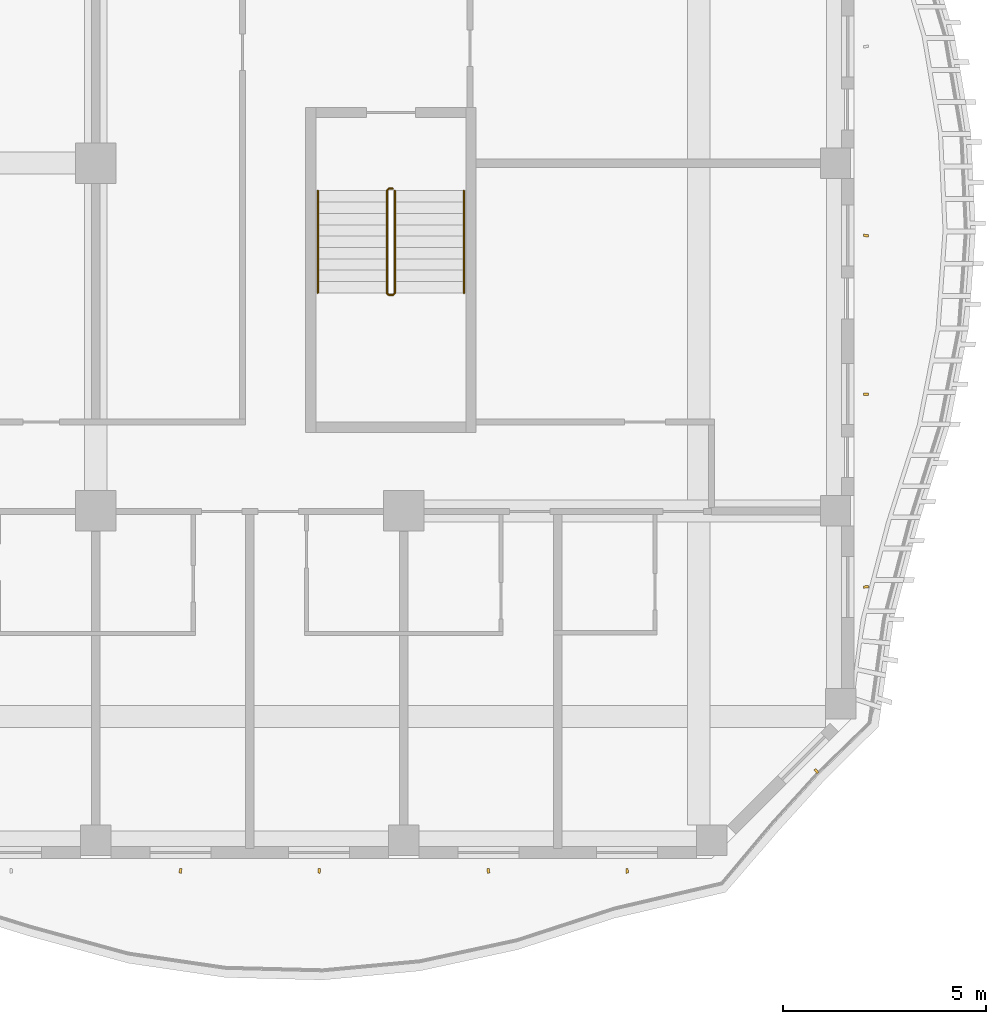
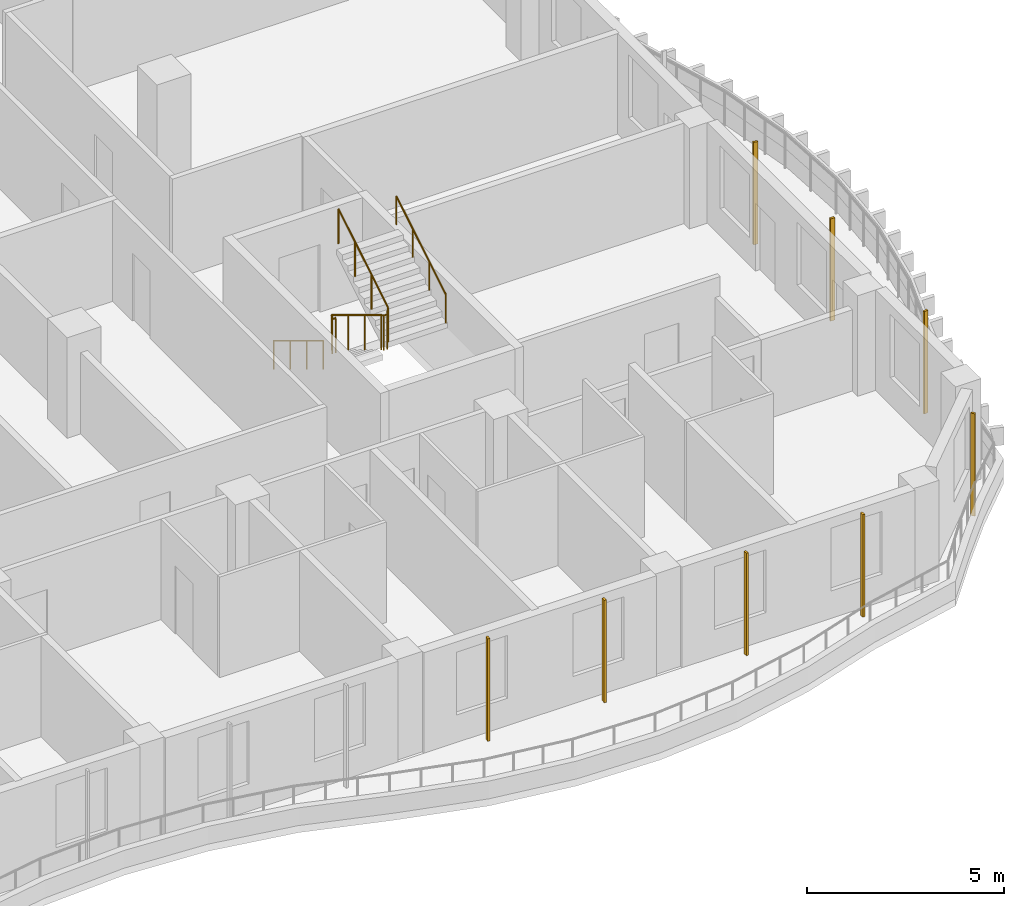
# One storey, part 17 of 22: 8 shading devices, 3 railings.
"""IFC4 building model written with IfcOpenShell, lengths in metres."""

from ifc_helpers import new_model, si_unit, direction, frame, origin, origin_2d, place, context, subcontext, project, spatial, rectangle, circle, extrude, source, transform, mapped, material, material_profile, profile_set, type_object, element, save


model = new_model("IFC4")

# Units and contexts
model_context = context("Model", 3, precision=1e-05, world=origin(), true_north=direction((0.0, 1.0)))
body_context = subcontext(model_context, "Body", "Model", "MODEL_VIEW")
ifc_project = project(units=[si_unit("LENGTHUNIT", "METRE"), si_unit("AREAUNIT", "SQUARE_METRE"), si_unit("VOLUMEUNIT", "CUBIC_METRE"), si_unit("PLANEANGLEUNIT", "RADIAN"), si_unit("MASSUNIT", "GRAM", prefix="KILO")], contexts=[model_context])

# Site, building, storey
site_placement = place(None, origin())
site = spatial("IfcSite", under=ifc_project, at=site_placement, CompositionType="ELEMENT")
building_placement = place(site_placement, origin())
building = spatial("IfcBuilding", under=site, at=building_placement, Name="Kilnfold Tower and Market Hall", CompositionType="ELEMENT")
storey_placement = place(building_placement, frame((0.0, 0.0, 213.5)))
storey = spatial("IfcBuildingStorey", under=building, at=storey_placement, Name="L52", CompositionType="ELEMENT", Elevation=213.5)

# Railings
ifc_material_1 = material(Name="Stainless steel 316", Category="steel")
railing_type_1 = type_object("IfcRailingType", Name="CORE STAIR GUARD 1100", PredefinedType="GUARDRAIL", material=ifc_material_1)
railing_1_placement = place(storey_placement, frame((19.89990234375, -9.75, 0.0)))
element("IfcRailing", 1, at=railing_1_placement, inside=storey, type_object=railing_type_1, Name="L52 ST4 stair guard 1", PredefinedType="GUARDRAIL", context=body_context, shape_type="SweptSolid", body=[
    extrude(circle(Radius=0.02392578125, at=origin_2d()), frame((0.0, 0.0, 1.076171875), z_axis=(-1.0, 0.0, 0.0), x_axis=(0.0, -1.0, 0.0)), (0.0, 0.0, 1.0), 0.099853515625),
    extrude(circle(Radius=0.02392578125, at=origin_2d()), frame((-0.099853515625, 0.0, 1.076171875), z_axis=(-0.271895245746, -0.271895245746, 0.923117517265), x_axis=(0.707106781187, -0.707106781187, 0.0)), (0.0, 0.0, 1.0), 0.18408203125),
    extrude(circle(Radius=0.02392578125, at=origin_2d()), frame((-0.14990234375, -0.050048828125, 1.24609375), z_axis=(0.0, -0.85478489116, 0.518982456201), x_axis=(1.0, 0.0, 0.0)), (0.0, 0.0, 1.0), 2.9482421875),
    extrude(circle(Radius=0.02392578125, at=origin_2d()), frame((-0.14990234375, -2.570068359375, 2.77587890625), z_axis=(0.707106781187, -0.707106781187, 0.0), x_axis=(0.707106781187, 0.707106781187, 0.0)), (0.0, 0.0, 1.0), 0.07080078125),
    extrude(circle(Radius=0.02392578125, at=origin_2d()), frame((-0.099853515625, -2.6201171875, 2.77587890625), z_axis=(1.0, 0.0, 0.0), x_axis=(0.0, 1.0, 0.0)), (0.0, 0.0, 1.0), 0.099853515625),
    extrude(circle(Radius=0.02392578125, at=origin_2d()), frame((0.0, -2.6201171875, 2.77587890625), z_axis=(0.271562723297, 0.271562723297, 0.923313259209), x_axis=(-0.707106781187, 0.707106781187, 0.0)), (0.0, 0.0, 1.0), 0.184326171875),
    extrude(circle(Radius=0.02392578125, at=origin_2d()), frame((0.050048828125, -2.570068359375, 2.9462890625), z_axis=(0.0, 0.854821627497, 0.518921945155), x_axis=(-1.0, 0.0, 0.0)), (0.0, 0.0, 1.0), 2.947998046875),
    extrude(circle(Radius=0.02099609375, at=origin_2d()), origin(), (0.0, 0.0, 1.0), 1.052001953125),
    extrude(circle(Radius=0.02099609375, at=origin_2d()), frame((-0.099853515625, 0.0, 0.0)), (0.0, 0.0, 1.0), 1.052001953125),
    extrude(circle(Radius=0.02099609375, at=origin_2d()), frame((-0.14990234375, -0.050048828125, 0.169921875)), (0.0, 0.0, 1.0), 1.052001953125),
    extrude(circle(Radius=0.02099609375, at=origin_2d()), frame((-0.14990234375, -0.89013671875, 0.679931640625)), (0.0, 0.0, 1.0), 1.052001953125),
    extrude(circle(Radius=0.02099609375, at=origin_2d()), frame((-0.14990234375, -1.72998046875, 1.18994140625)), (0.0, 0.0, 1.0), 1.052001953125),
    extrude(circle(Radius=0.02099609375, at=origin_2d()), frame((-0.14990234375, -2.570068359375, 1.699951171875)), (0.0, 0.0, 1.0), 1.052001953125),
    extrude(circle(Radius=0.02099609375, at=origin_2d()), frame((-0.099853515625, -2.6201171875, 1.699951171875)), (0.0, 0.0, 1.0), 1.052001953125),
    extrude(circle(Radius=0.02099609375, at=origin_2d()), frame((0.0, -2.6201171875, 1.699951171875)), (0.0, 0.0, 1.0), 1.052001953125),
    extrude(circle(Radius=0.02099609375, at=origin_2d()), frame((0.050048828125, -2.570068359375, 1.8701171875)), (0.0, 0.0, 1.0), 1.052001953125),
    extrude(circle(Radius=0.02099609375, at=origin_2d()), frame((0.050048828125, -1.72998046875, 2.380126953125)), (0.0, 0.0, 1.0), 1.052001953125),
    extrude(circle(Radius=0.02099609375, at=origin_2d()), frame((0.050048828125, -0.89013671875, 2.889892578125)), (0.0, 0.0, 1.0), 1.052001953125),
    extrude(circle(Radius=0.02099609375, at=origin_2d()), frame((0.050048828125, -0.050048828125, 3.39990234375)), (0.0, 0.0, 1.0), 1.052001953125),
])
ifc_material_2 = material(Name="Stainless steel 316", Category="steel")
railing_type_2 = type_object("IfcRailingType", Name="CORE STAIR HANDRAIL 900", PredefinedType="HANDRAIL", material=ifc_material_2)
railing_2_placement = place(storey_placement, frame((18.050048828125, -9.800048828125, 0.169921875)))
element("IfcRailing", 2, at=railing_2_placement, inside=storey, type_object=railing_type_2, Name="L52 ST4 stair handrail 1", PredefinedType="HANDRAIL", context=body_context, shape_type="SweptSolid", body=[
    extrude(circle(Radius=0.02392578125, at=origin_2d()), frame((0.0, 0.0, 0.8759765625), z_axis=(0.0, -0.85478489116, 0.518982456201), x_axis=(1.0, 0.0, 0.0)), (0.0, 0.0, 1.0), 2.9482421875),
    extrude(circle(Radius=0.02099609375, at=origin_2d()), origin(), (0.0, 0.0, 1.0), 0.851806640625),
    extrude(circle(Radius=0.02099609375, at=origin_2d()), frame((0.0, -0.840087890625, 0.510009765625)), (0.0, 0.0, 1.0), 0.851806640625),
    extrude(circle(Radius=0.02099609375, at=origin_2d()), frame((0.0, -1.679931640625, 1.02001953125)), (0.0, 0.0, 1.0), 0.851806640625),
    extrude(circle(Radius=0.02099609375, at=origin_2d()), frame((0.0, -2.52001953125, 1.530029296875)), (0.0, 0.0, 1.0), 0.851806640625),
])
railing_3_placement = place(storey_placement, frame((21.64990234375, -12.320068359375, 1.8701171875)))
element("IfcRailing", 3, at=railing_3_placement, inside=storey, type_object=railing_type_2, Name="L52 ST4 stair handrail 2", PredefinedType="HANDRAIL", context=body_context, shape_type="SweptSolid", body=[
    extrude(circle(Radius=0.02392578125, at=origin_2d()), frame((0.0, 0.0, 0.8759765625), z_axis=(0.0, 0.854821627497, 0.518921945155), x_axis=(-1.0, 0.0, 0.0)), (0.0, 0.0, 1.0), 2.947998046875),
    extrude(circle(Radius=0.02099609375, at=origin_2d()), origin(), (0.0, 0.0, 1.0), 0.851806640625),
    extrude(circle(Radius=0.02099609375, at=origin_2d()), frame((0.0, 0.840087890625, 0.510009765625)), (0.0, 0.0, 1.0), 0.851806640625),
    extrude(circle(Radius=0.02099609375, at=origin_2d()), frame((0.0, 1.679931640625, 1.019775390625)), (0.0, 0.0, 1.0), 0.851806640625),
    extrude(circle(Radius=0.02099609375, at=origin_2d()), frame((0.0, 2.52001953125, 1.52978515625)), (0.0, 0.0, 1.0), 0.851806640625),
])

# Shading devices
ifc_material_3 = material(Name="Terracotta", Category="masonry")
ifc_material_profile = material_profile(ifc_material_3, rectangle(XDim=0.06005859375, YDim=0.1201171875, at=origin_2d()), Name="BAG 60x120")
ifc_profile_set = profile_set([ifc_material_profile], Name="Terracotta")
shading_device_type = type_object("IfcShadingDeviceType", Name="BAGUETTE", PredefinedType="USERDEFINED", material=ifc_profile_set)
shared_shape = source(origin(), body_context, "Body", "SweptSolid", [
    extrude(rectangle(XDim=0.06005859375, YDim=0.1201171875, at=origin_2d()), origin(), (0.0, 0.0, 1.0), 3.179931640625),
])
for number, where, z_axis, x_axis, name in (
    (4, (14.666748046875, -26.550048828125, 0.0), (0.0, 0.0, 1.0), (0.993199534333, -0.116424589329, 0.0), "Terracotta baguette L52 S"),
    (5, (18.083251953125, -26.550048828125, 0.0), (0.0, 0.0, 1.0), (0.996722504951, -0.080896527271, 0.0), "Terracotta baguette L52 S"),
    (6, (22.25, -26.550048828125, 0.0), (0.0, 0.0, 1.0), (0.991227078025, 0.13216988988, 0.0), "Terracotta baguette L52 S"),
    (7, (25.666748046875, -26.550048828125, 0.0), (0.0, 0.0, 1.0), (0.998810056033, 0.048769580342, 0.0), "Terracotta baguette L52 S"),
    (8, (30.329833984375, -24.094482421875, 0.0), (0.0, 0.0, 1.0), (0.787814074064, 0.615913130813, 0.0), "Terracotta baguette L52 SE"),
    (9, (31.550048828125, -19.556884765625, 0.0), (0.0, 0.0, 1.0), (-0.123544322319, 0.992339055174, 0.0), "Terracotta baguette L52 E"),
    (10, (31.550048828125, -14.8125, 0.0), (0.0, 0.0, 1.0), (0.010970919588, 0.999939817651, 0.0), "Terracotta baguette L52 E"),
    (11, (31.550048828125, -10.90625, 0.0), (0.0, 0.0, 1.0), (0.134489479378, 0.990915021552, 0.0), "Terracotta baguette L52 E"),
):
    element("IfcShadingDevice", number, at=place(storey_placement, frame(where, z_axis=z_axis, x_axis=x_axis)), inside=storey, type_object=shading_device_type, Name=name, ObjectType="BAGUETTE", PredefinedType="USERDEFINED", context=body_context, shape_type="MappedRepresentation", body=[
        mapped(shared_shape, transform((0.0, 0.0, 0.0))),
    ])

save(model, "model.ifc")
